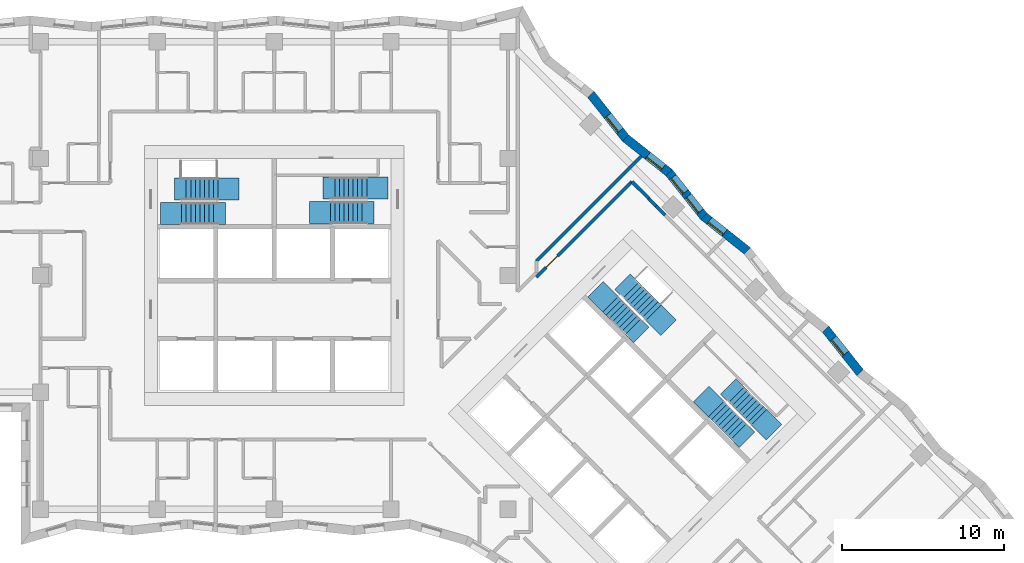
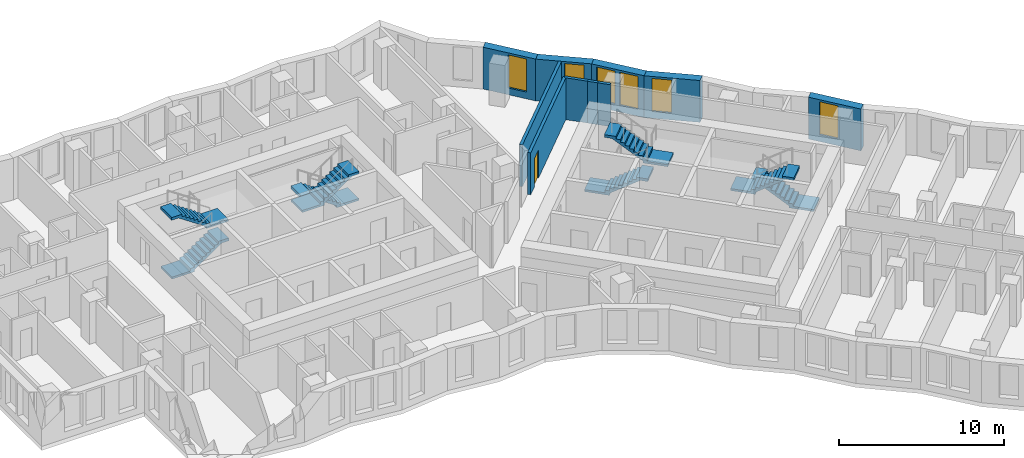
# One storey, part 11 of 13: 10 walls, 8 stair flights, 6 windows, 1 door, 7 openings, 4 elements without a shape of their own.
"""IFC4 building model written with IfcOpenShell, lengths in metres."""

from ifc_helpers import new_model, si_unit, direction, frame, frame_2d, origin, place, context, subcontext, project, spatial, polyline, rectangle, outline, extrude, material, layer, layer_set, type_object, element, fill, aggregate, save


model = new_model("IFC4")

# Units and contexts
model_context = context("Model", 3, precision=1e-05, world=origin(), true_north=direction((0.0, 1.0)))
body_context = subcontext(model_context, "Body", "Model", "MODEL_VIEW")
ifc_project = project(units=[si_unit("LENGTHUNIT", "METRE"), si_unit("AREAUNIT", "SQUARE_METRE"), si_unit("VOLUMEUNIT", "CUBIC_METRE"), si_unit("PLANEANGLEUNIT", "RADIAN"), si_unit("MASSUNIT", "GRAM", prefix="KILO")], contexts=[model_context])

# Site, building, storey
site_placement = place(None, origin())
site = spatial("IfcSite", under=ifc_project, at=site_placement, CompositionType="ELEMENT")
building_placement = place(site_placement, origin())
building = spatial("IfcBuilding", under=site, at=building_placement, Name="Windrow Commons", CompositionType="ELEMENT")
storey_placement = place(building_placement, frame((0.0, 0.0, 91.4)))
storey = spatial("IfcBuildingStorey", under=building, at=storey_placement, Name="L24", CompositionType="ELEMENT", Elevation=91.4)

# Wall, opening, window
ifc_material_1 = material(Name="Brick masonry, red clay brick", Category="masonry")
ifc_layer_1 = layer(ifc_material_1, 0.55)
ifc_layer_set_1 = layer_set([ifc_layer_1], Name="Brick facade wall 550")
wall_type_1 = type_object("IfcWallType", Name="Brick facade wall 550", PredefinedType="SOLIDWALL", material=ifc_layer_set_1)
wall_1_placement = place(storey_placement, frame((100.8974, 51.6082, 0.0), z_axis=(0.0, 0.0, 1.0), x_axis=(-0.621900023, 0.7830966489, 0.0)))
wall_1 = element("IfcWall", 1, at=wall_1_placement, inside=storey, type_object=wall_type_1, Name="Brick facade wall L24 12", PredefinedType="SOLIDWALL", context=body_context, shape_type="SweptSolid", body=[
    extrude(outline(polyline([(0.0316, -0.275), (3.4616, -0.275), (3.3985, 0.275), (-0.0316, 0.275), (0.0316, -0.275)])), origin(), (0.0, 0.0, 1.0), 3.1),
])
opening_1_placement = place(wall_1_placement, frame((1.4832, 0.0, 0.5)))
opening_1 = element("IfcOpeningElement", 2, at=opening_1_placement, cuts=wall_1, Name="Opening W7D", PredefinedType="OPENING", context=body_context, shape_type="SweptSolid", body=[
    extrude(rectangle(XDim=1.2, YDim=2.45, at=frame_2d((0.6, 1.225))), frame((0.0, 0.285, 0.0), z_axis=(0.0, -1.0, 0.0), x_axis=(1.0, 0.0, 0.0)), (0.0, 0.0, 1.0), 0.57),
])
ifc_material_2 = material(Name="Clear float glass in anodised aluminium frame", Category="aluminium")
window_type = type_object("IfcWindowType", Name="Window W7 notch 1200x2450", PartitioningType="SINGLE_PANEL", PredefinedType="WINDOW", material=ifc_material_2)
window_1_placement = place(opening_1_placement, origin())
window_1 = element("IfcWindow", 3, at=window_1_placement, inside=storey, type_object=window_type, Name="Window L24 12.1", OverallHeight=2.45, OverallWidth=1.2, PartitioningType="SINGLE_PANEL", PredefinedType="WINDOW", context=body_context, shape_type="SweptSolid", body=[
    extrude(rectangle(XDim=1.2, YDim=2.45, at=frame_2d((0.6, 1.225))), frame((0.0, 0.155, 0.0), z_axis=(0.0, -1.0, 0.0), x_axis=(1.0, 0.0, 0.0)), (0.0, 0.0, 1.0), 0.06),
])
fill(opening_1, window_1)

wall_2_placement = place(storey_placement, frame((93.9451, 59.1134, 0.0), z_axis=(0.0, 0.0, 1.0), x_axis=(-0.7830966489, 0.621900023, 0.0)))
wall_2 = element("IfcWall", 4, at=wall_2_placement, inside=storey, type_object=wall_type_1, Name="Brick facade wall L24 15", PredefinedType="SOLIDWALL", context=body_context, shape_type="SweptSolid", body=[
    extrude(outline(polyline([(-0.0316, -0.275), (3.3985, -0.275), (3.4616, 0.275), (0.0316, 0.275), (-0.0316, -0.275)])), origin(), (0.0, 0.0, 1.0), 3.1),
])
opening_2_placement = place(wall_2_placement, frame((1.7893, 0.0, 0.5)))
opening_2 = element("IfcOpeningElement", 5, at=opening_2_placement, cuts=wall_2, Name="Opening W7D", PredefinedType="OPENING", context=body_context, shape_type="SweptSolid", body=[
    extrude(rectangle(XDim=1.2, YDim=2.45, at=frame_2d((0.6, 1.225))), frame((0.0, 0.285, 0.0), z_axis=(0.0, -1.0, 0.0), x_axis=(1.0, 0.0, 0.0)), (0.0, 0.0, 1.0), 0.57),
])
window_2_placement = place(opening_2_placement, origin())
window_2 = element("IfcWindow", 6, at=window_2_placement, inside=storey, type_object=window_type, Name="Window L24 15.1", OverallHeight=2.45, OverallWidth=1.2, PartitioningType="SINGLE_PANEL", PredefinedType="WINDOW", context=body_context, shape_type="SweptSolid", body=[
    extrude(rectangle(XDim=1.2, YDim=2.45, at=frame_2d((0.6, 1.225))), frame((0.0, 0.155, 0.0), z_axis=(0.0, -1.0, 0.0), x_axis=(1.0, 0.0, 0.0)), (0.0, 0.0, 1.0), 0.06),
])
fill(opening_2, window_2)

# Wall, openings, windows
wall_3_placement = place(storey_placement, frame((91.2591, 61.2465, 0.0), z_axis=(0.0, 0.0, 1.0), x_axis=(-0.6218858246, 0.7831079243, 0.0)))
wall_3 = element("IfcWall", 7, at=wall_3_placement, inside=storey, type_object=wall_type_1, Name="Brick facade wall L24 16", PredefinedType="SOLIDWALL", context=body_context, shape_type="SweptSolid", body=[
    extrude(outline(polyline([(0.0316, -0.275), (3.4616, -0.275), (3.3985, 0.275), (-0.0316, 0.275), (0.0316, -0.275)])), origin(), (0.0, 0.0, 1.0), 3.1),
])
opening_3_placement = place(wall_3_placement, frame((0.3711, 0.0, 0.5)))
opening_3 = element("IfcOpeningElement", 8, at=opening_3_placement, cuts=wall_3, Name="Opening W7D", PredefinedType="OPENING", context=body_context, shape_type="SweptSolid", body=[
    extrude(rectangle(XDim=1.2, YDim=2.45, at=frame_2d((0.6, 1.225))), frame((0.0, 0.285, 0.0), z_axis=(0.0, -1.0, 0.0), x_axis=(1.0, 0.0, 0.0)), (0.0, 0.0, 1.0), 0.57),
])
opening_4_placement = place(wall_3_placement, frame((1.8704, 0.0, 0.5)))
opening_4 = element("IfcOpeningElement", 9, at=opening_4_placement, cuts=wall_3, Name="Opening W7D", PredefinedType="OPENING", context=body_context, shape_type="SweptSolid", body=[
    extrude(rectangle(XDim=1.2, YDim=2.45, at=frame_2d((0.6, 1.225))), frame((0.0, 0.285, 0.0), z_axis=(0.0, -1.0, 0.0), x_axis=(1.0, 0.0, 0.0)), (0.0, 0.0, 1.0), 0.57),
])
window_3_placement = place(opening_3_placement, origin())
window_3 = element("IfcWindow", 10, at=window_3_placement, inside=storey, type_object=window_type, Name="Window L24 16.1", OverallHeight=2.45, OverallWidth=1.2, PartitioningType="SINGLE_PANEL", PredefinedType="WINDOW", context=body_context, shape_type="SweptSolid", body=[
    extrude(rectangle(XDim=1.2, YDim=2.45, at=frame_2d((0.6, 1.225))), frame((0.0, 0.155, 0.0), z_axis=(0.0, -1.0, 0.0), x_axis=(1.0, 0.0, 0.0)), (0.0, 0.0, 1.0), 0.06),
])
fill(opening_3, window_3)
window_4_placement = place(opening_4_placement, origin())
window_4 = element("IfcWindow", 11, at=window_4_placement, inside=storey, type_object=window_type, Name="Window L24 16.2", OverallHeight=2.45, OverallWidth=1.2, PartitioningType="SINGLE_PANEL", PredefinedType="WINDOW", context=body_context, shape_type="SweptSolid", body=[
    extrude(rectangle(XDim=1.2, YDim=2.45, at=frame_2d((0.6, 1.225))), frame((0.0, 0.155, 0.0), z_axis=(0.0, -1.0, 0.0), x_axis=(1.0, 0.0, 0.0)), (0.0, 0.0, 1.0), 0.06),
])
fill(opening_4, window_4)

# Wall, opening, window
wall_4_placement = place(storey_placement, frame((89.126, 63.9326, 0.0), z_axis=(0.0, 0.0, 1.0), x_axis=(-0.7831079243, 0.6218858246, 0.0)))
wall_4 = element("IfcWall", 12, at=wall_4_placement, inside=storey, type_object=wall_type_1, Name="Brick facade wall L24 17", PredefinedType="SOLIDWALL", context=body_context, shape_type="SweptSolid", body=[
    extrude(outline(polyline([(-0.0316, -0.275), (3.3985, -0.275), (3.4616, 0.275), (0.0316, 0.275), (-0.0316, -0.275)])), origin(), (0.0, 0.0, 1.0), 3.1),
])
opening_5_placement = place(wall_4_placement, frame((0.4837, 0.0, 0.5)))
opening_5 = element("IfcOpeningElement", 13, at=opening_5_placement, cuts=wall_4, Name="Opening W7D", PredefinedType="OPENING", context=body_context, shape_type="SweptSolid", body=[
    extrude(rectangle(XDim=1.2, YDim=2.45, at=frame_2d((0.6, 1.225))), frame((0.0, 0.285, 0.0), z_axis=(0.0, -1.0, 0.0), x_axis=(1.0, 0.0, 0.0)), (0.0, 0.0, 1.0), 0.57),
])
window_5_placement = place(opening_5_placement, origin())
window_5 = element("IfcWindow", 14, at=window_5_placement, inside=storey, type_object=window_type, Name="Window L24 17.1", OverallHeight=2.45, OverallWidth=1.2, PartitioningType="SINGLE_PANEL", PredefinedType="WINDOW", context=body_context, shape_type="SweptSolid", body=[
    extrude(rectangle(XDim=1.2, YDim=2.45, at=frame_2d((0.6, 1.225))), frame((0.0, 0.155, 0.0), z_axis=(0.0, -1.0, 0.0), x_axis=(1.0, 0.0, 0.0)), (0.0, 0.0, 1.0), 0.06),
])
fill(opening_5, window_5)

wall_5_placement = place(storey_placement, frame((86.4399, 66.0657, 0.0), z_axis=(0.0, 0.0, 1.0), x_axis=(-0.6218858246, 0.7831079243, 0.0)))
wall_5 = element("IfcWall", 15, at=wall_5_placement, inside=storey, type_object=wall_type_1, Name="Brick facade wall L24 18", PredefinedType="SOLIDWALL", context=body_context, shape_type="SweptSolid", body=[
    extrude(outline(polyline([(0.0316, -0.275), (3.4616, -0.275), (3.3985, 0.275), (-0.0316, 0.275), (0.0316, -0.275)])), origin(), (0.0, 0.0, 1.0), 3.1),
])
opening_6_placement = place(wall_5_placement, frame((0.5647, 0.0, 0.5)))
opening_6 = element("IfcOpeningElement", 16, at=opening_6_placement, cuts=wall_5, Name="Opening W7D", PredefinedType="OPENING", context=body_context, shape_type="SweptSolid", body=[
    extrude(rectangle(XDim=1.2, YDim=2.45, at=frame_2d((0.6, 1.225))), frame((0.0, 0.285, 0.0), z_axis=(0.0, -1.0, 0.0), x_axis=(1.0, 0.0, 0.0)), (0.0, 0.0, 1.0), 0.57),
])
window_6_placement = place(opening_6_placement, origin())
window_6 = element("IfcWindow", 17, at=window_6_placement, inside=storey, type_object=window_type, Name="Window L24 18.1", OverallHeight=2.45, OverallWidth=1.2, PartitioningType="SINGLE_PANEL", PredefinedType="WINDOW", context=body_context, shape_type="SweptSolid", body=[
    extrude(rectangle(XDim=1.2, YDim=2.45, at=frame_2d((0.6, 1.225))), frame((0.0, 0.155, 0.0), z_axis=(0.0, -1.0, 0.0), x_axis=(1.0, 0.0, 0.0)), (0.0, 0.0, 1.0), 0.06),
])
fill(opening_6, window_6)

# Wall, opening, door
ifc_material_3 = material(Name="Blockwork partition", Category="masonry")
ifc_layer_2 = layer(ifc_material_3, 0.2)
ifc_layer_set_2 = layer_set([ifc_layer_2], Name="IW-CORRIDOR-200")
wall_type_2 = type_object("IfcWallType", Name="IW-CORRIDOR-200", PredefinedType="PARTITIONING", material=ifc_layer_set_2)
wall_6_placement = place(storey_placement, frame((80.9509, 57.4891, 0.0), z_axis=(0.0, 0.0, 1.0), x_axis=(0.7071067812, 0.7071067812, 0.0)))
wall_6 = element("IfcWall", 18, at=wall_6_placement, inside=storey, type_object=wall_type_2, Name="W-L24-W012", PredefinedType="PARTITIONING", context=body_context, shape_type="SweptSolid", body=[
    extrude(rectangle(XDim=8.3212, YDim=0.2, at=frame_2d((4.1606, 0.0))), origin(), (0.0, 0.0, 1.0), 3.1),
])
opening_7_placement = place(wall_6_placement, frame((0.8507, 0.0, 0.0)))
opening_7 = element("IfcOpeningElement", 19, at=opening_7_placement, cuts=wall_6, Name="Opening D310F", PredefinedType="OPENING", context=body_context, shape_type="SweptSolid", body=[
    extrude(rectangle(XDim=1.0, YDim=2.1, at=frame_2d((0.5, 1.05))), frame((0.0, 0.11, 0.0), z_axis=(0.0, -1.0, 0.0), x_axis=(1.0, 0.0, 0.0)), (0.0, 0.0, 1.0), 0.22),
])
ifc_material_4 = material(Name="Timber door leaf", Category="wood")
door_type = type_object("IfcDoorType", Name="DT-AMENITY-1000", OperationType="SINGLE_SWING_LEFT", PredefinedType="DOOR", material=ifc_material_4)
door_placement = place(opening_7_placement, origin())
door = element("IfcDoor", 20, at=door_placement, inside=storey, type_object=door_type, Name="D-L24-D044", OperationType="SINGLE_SWING_RIGHT", OverallHeight=2.1, OverallWidth=1.0, PredefinedType="DOOR", context=body_context, shape_type="SweptSolid", body=[
    extrude(rectangle(XDim=1.0, YDim=2.1, at=frame_2d((0.5, 1.05))), frame((0.0, 0.025, 0.0), z_axis=(0.0, -1.0, 0.0), x_axis=(1.0, 0.0, 0.0)), (0.0, 0.0, 1.0), 0.05),
])
fill(opening_7, door)

# Walls
wall_7_placement = place(storey_placement, frame((86.8392, 63.3732, 0.0), z_axis=(0.0, 0.0, 1.0), x_axis=(0.7077963046, -0.7064165847, 0.0)))
element("IfcWall", 21, at=wall_7_placement, inside=storey, type_object=wall_type_2, Name="W-L24-W164", PredefinedType="PARTITIONING", context=body_context, shape_type="SweptSolid", body=[
    extrude(rectangle(XDim=1.4496, YDim=0.2, at=frame_2d((0.7248, 0.0))), origin(), (0.0, 0.0, 1.0), 3.1),
])
wall_8_placement = place(storey_placement, frame((88.3188, 61.8848, 0.0), z_axis=(0.0, 0.0, 1.0), x_axis=(0.7071067812, -0.7071067812, 0.0)))
element("IfcWall", 22, at=wall_8_placement, inside=storey, type_object=wall_type_2, Name="W-L24-W186", PredefinedType="PARTITIONING", context=body_context, shape_type="SweptSolid", body=[
    extrude(rectangle(XDim=0.792, YDim=0.2, at=frame_2d((0.396, 0.0))), origin(), (0.0, 0.0, 1.0), 3.1),
])
wall_9_placement = place(storey_placement, frame((87.8605, 62.3445, 0.0), z_axis=(0.0, 0.0, 1.0), x_axis=(0.7055645691, -0.708645637, 0.0)))
element("IfcWall", 23, at=wall_9_placement, inside=storey, type_object=wall_type_2, Name="W-L24-W191", PredefinedType="PARTITIONING", context=body_context, shape_type="SweptSolid", body=[
    extrude(rectangle(XDim=0.6491, YDim=0.2, at=frame_2d((0.3246, 0.0))), origin(), (0.0, 0.0, 1.0), 3.1),
])
ifc_material_5 = material(Name="Blockwork partition", Category="masonry")
ifc_layer_3 = layer(ifc_material_5, 0.2)
ifc_layer_set_3 = layer_set([ifc_layer_3], Name="IW-PARTY-200")
wall_type_3 = type_object("IfcWallType", Name="IW-PARTY-200", PredefinedType="PARTITIONING", material=ifc_layer_set_3)
wall_10_placement = place(storey_placement, frame((80.9489, 58.4771, 0.0), z_axis=(0.0, 0.0, 1.0), x_axis=(0.7071122504, 0.707101312, 0.0)))
element("IfcWall", 24, at=wall_10_placement, inside=storey, type_object=wall_type_3, Name="W-L24-W009", PredefinedType="PARTITIONING", context=body_context, shape_type="SweptSolid", body=[
    extrude(rectangle(XDim=9.1421, YDim=0.2, at=frame_2d((4.571, 0.0))), origin(), (0.0, 0.0, 1.0), 3.1),
])

# Stair, stair flights
ifc_material_6 = material(Name="Concrete C40/50", Category="concrete")
stair_type = type_object("IfcStairType", Name="Core stair", PredefinedType="HALF_TURN_STAIR", material=ifc_material_6)
placement = place(storey_placement, origin())
stair_1 = element("IfcStair", 25, at=placement, inside=storey, type_object=stair_type, Name="L24 Exit stair A1 core A", PredefinedType="HALF_TURN_STAIR")
ifc_material_7 = material(Name="Concrete C40/50", Category="concrete")
stair_flight_type = type_object("IfcStairFlightType", Name="Core stair flight", PredefinedType="STRAIGHT", material=ifc_material_7)
stair_flight_1_placement = place(storey_placement, frame((59.1, 61.425, 0.0), z_axis=(0.0, 0.0, 1.0), x_axis=(1.0, 0.0, 0.0)))
stair_flight_1 = element("IfcStairFlight", 26, at=stair_flight_1_placement, type_object=stair_flight_type, Name="ST-A1 flight 1", NumberOfRisers=9, NumberOfTreads=8, PredefinedType="STRAIGHT", RiserHeight=0.188888889, TreadLength=0.28, context=body_context, shape_type="SweptSolid", body=[
    extrude(outline(polyline([(-1.3, -0.15), (-1.3, 0.0), (0.0, 0.0), (0.0, 0.1889), (0.28, 0.1889), (0.28, 0.3778), (0.56, 0.3778), (0.56, 0.5667), (0.84, 0.5667), (0.84, 0.7556), (1.12, 0.7556), (1.12, 0.9444), (1.4, 0.9444), (1.4, 1.1333), (1.68, 1.1333), (1.68, 1.3222), (1.96, 1.3222), (1.96, 1.5111), (2.24, 1.5111), (2.69, 1.5111), (2.69, 1.3111), (2.24, 1.3111), (2.24, 1.3302), (0.2682, 0.0), (0.2682, -0.15), (-1.3, -0.15)])), frame((0.0, 0.675, 0.0), z_axis=(0.0, -1.0, 0.0), x_axis=(1.0, 0.0, 0.0)), (0.0, 0.0, 1.0), 1.35),
])
stair_flight_2_placement = place(storey_placement, frame((61.34, 62.925, 1.7), z_axis=(0.0, 0.0, 1.0), x_axis=(-1.0, 0.0, 0.0)))
stair_flight_2 = element("IfcStairFlight", 27, at=stair_flight_2_placement, type_object=stair_flight_type, Name="ST-A1 flight 2", NumberOfRisers=9, NumberOfTreads=8, PredefinedType="STRAIGHT", RiserHeight=0.188888889, TreadLength=0.28, context=body_context, shape_type="SweptSolid", body=[
    extrude(outline(polyline([(-1.3, -0.15), (-1.3, 0.0), (0.0, 0.0), (0.0, 0.1889), (0.28, 0.1889), (0.28, 0.3778), (0.56, 0.3778), (0.56, 0.5667), (0.84, 0.5667), (0.84, 0.7556), (1.12, 0.7556), (1.12, 0.9444), (1.4, 0.9444), (1.4, 1.1333), (1.68, 1.1333), (1.68, 1.3222), (1.96, 1.3222), (1.96, 1.5111), (2.24, 1.5111), (2.69, 1.5111), (2.69, 1.3111), (2.24, 1.3111), (2.24, 1.3302), (0.2682, 0.0), (0.2682, -0.15), (-1.3, -0.15)])), frame((0.0, 0.675, 0.0), z_axis=(0.0, -1.0, 0.0), x_axis=(1.0, 0.0, 0.0)), (0.0, 0.0, 1.0), 1.35),
])
aggregate(stair_1, [stair_flight_1, stair_flight_2])

stair_2 = element("IfcStair", 28, at=placement, inside=storey, type_object=stair_type, Name="L24 Exit stair A2 core A", PredefinedType="HALF_TURN_STAIR")
stair_flight_3_placement = place(storey_placement, frame((70.5, 62.98, 0.0), z_axis=(0.0, 0.0, 1.0), x_axis=(-1.0, 0.0, 0.0)))
stair_flight_3 = element("IfcStairFlight", 29, at=stair_flight_3_placement, type_object=stair_flight_type, Name="ST-A2 flight 1", NumberOfRisers=9, NumberOfTreads=8, PredefinedType="STRAIGHT", RiserHeight=0.188888889, TreadLength=0.28, context=body_context, shape_type="SweptSolid", body=[
    extrude(outline(polyline([(-1.3, -0.15), (-1.3, 0.0), (0.0, 0.0), (0.0, 0.1889), (0.28, 0.1889), (0.28, 0.3778), (0.56, 0.3778), (0.56, 0.5667), (0.84, 0.5667), (0.84, 0.7556), (1.12, 0.7556), (1.12, 0.9444), (1.4, 0.9444), (1.4, 1.1333), (1.68, 1.1333), (1.68, 1.3222), (1.96, 1.3222), (1.96, 1.5111), (2.24, 1.5111), (2.69, 1.5111), (2.69, 1.3111), (2.24, 1.3111), (2.24, 1.3302), (0.2682, 0.0), (0.2682, -0.15), (-1.3, -0.15)])), frame((0.0, 0.675, 0.0), z_axis=(0.0, -1.0, 0.0), x_axis=(1.0, 0.0, 0.0)), (0.0, 0.0, 1.0), 1.35),
])
stair_flight_4_placement = place(storey_placement, frame((68.26, 61.48, 1.7), z_axis=(0.0, 0.0, 1.0), x_axis=(1.0, 0.0, 0.0)))
stair_flight_4 = element("IfcStairFlight", 30, at=stair_flight_4_placement, type_object=stair_flight_type, Name="ST-A2 flight 2", NumberOfRisers=9, NumberOfTreads=8, PredefinedType="STRAIGHT", RiserHeight=0.188888889, TreadLength=0.28, context=body_context, shape_type="SweptSolid", body=[
    extrude(outline(polyline([(-1.3, -0.15), (-1.3, 0.0), (0.0, 0.0), (0.0, 0.1889), (0.28, 0.1889), (0.28, 0.3778), (0.56, 0.3778), (0.56, 0.5667), (0.84, 0.5667), (0.84, 0.7556), (1.12, 0.7556), (1.12, 0.9444), (1.4, 0.9444), (1.4, 1.1333), (1.68, 1.1333), (1.68, 1.3222), (1.96, 1.3222), (1.96, 1.5111), (2.24, 1.5111), (2.69, 1.5111), (2.69, 1.3111), (2.24, 1.3111), (2.24, 1.3302), (0.2682, 0.0), (0.2682, -0.15), (-1.3, -0.15)])), frame((0.0, 0.675, 0.0), z_axis=(0.0, -1.0, 0.0), x_axis=(1.0, 0.0, 0.0)), (0.0, 0.0, 1.0), 1.35),
])
aggregate(stair_2, [stair_flight_3, stair_flight_4])

stair_3 = element("IfcStair", 31, at=placement, inside=storey, type_object=stair_type, Name="L24 Exit stair B1 core B", PredefinedType="HALF_TURN_STAIR")
stair_flight_5_placement = place(storey_placement, frame((85.5109, 55.8249, 0.0), z_axis=(0.0, 0.0, 1.0), x_axis=(0.7071067812, -0.7071067812, 0.0)))
stair_flight_5 = element("IfcStairFlight", 32, at=stair_flight_5_placement, type_object=stair_flight_type, Name="ST-B1 flight 1", NumberOfRisers=9, NumberOfTreads=8, PredefinedType="STRAIGHT", RiserHeight=0.188888889, TreadLength=0.28, context=body_context, shape_type="SweptSolid", body=[
    extrude(outline(polyline([(-1.3, -0.15), (-1.3, 0.0), (0.0, 0.0), (0.0, 0.1889), (0.28, 0.1889), (0.28, 0.3778), (0.56, 0.3778), (0.56, 0.5667), (0.84, 0.5667), (0.84, 0.7556), (1.12, 0.7556), (1.12, 0.9444), (1.4, 0.9444), (1.4, 1.1333), (1.68, 1.1333), (1.68, 1.3222), (1.96, 1.3222), (1.96, 1.5111), (2.24, 1.5111), (2.69, 1.5111), (2.69, 1.3111), (2.24, 1.3111), (2.24, 1.3302), (0.2682, 0.0), (0.2682, -0.15), (-1.3, -0.15)])), frame((0.0, 0.675, 0.0), z_axis=(0.0, -1.0, 0.0), x_axis=(1.0, 0.0, 0.0)), (0.0, 0.0, 1.0), 1.35),
])
stair_flight_6_placement = place(storey_placement, frame((88.1555, 55.3017, 1.7), z_axis=(0.0, 0.0, 1.0), x_axis=(-0.7071067812, 0.7071067812, 0.0)))
stair_flight_6 = element("IfcStairFlight", 33, at=stair_flight_6_placement, type_object=stair_flight_type, Name="ST-B1 flight 2", NumberOfRisers=9, NumberOfTreads=8, PredefinedType="STRAIGHT", RiserHeight=0.188888889, TreadLength=0.28, context=body_context, shape_type="SweptSolid", body=[
    extrude(outline(polyline([(-1.3, -0.15), (-1.3, 0.0), (0.0, 0.0), (0.0, 0.1889), (0.28, 0.1889), (0.28, 0.3778), (0.56, 0.3778), (0.56, 0.5667), (0.84, 0.5667), (0.84, 0.7556), (1.12, 0.7556), (1.12, 0.9444), (1.4, 0.9444), (1.4, 1.1333), (1.68, 1.1333), (1.68, 1.3222), (1.96, 1.3222), (1.96, 1.5111), (2.24, 1.5111), (2.69, 1.5111), (2.69, 1.3111), (2.24, 1.3111), (2.24, 1.3302), (0.2682, 0.0), (0.2682, -0.15), (-1.3, -0.15)])), frame((0.0, 0.675, 0.0), z_axis=(0.0, -1.0, 0.0), x_axis=(1.0, 0.0, 0.0)), (0.0, 0.0, 1.0), 1.35),
])
aggregate(stair_3, [stair_flight_5, stair_flight_6])

stair_4 = element("IfcStair", 34, at=placement, inside=storey, type_object=stair_type, Name="L24 Exit stair B2 core B", PredefinedType="HALF_TURN_STAIR")
stair_flight_7_placement = place(storey_placement, frame((94.6715, 48.8635, 0.0), z_axis=(0.0, 0.0, 1.0), x_axis=(-0.7071067812, 0.7071067812, 0.0)))
stair_flight_7 = element("IfcStairFlight", 35, at=stair_flight_7_placement, type_object=stair_flight_type, Name="ST-B2 flight 1", NumberOfRisers=9, NumberOfTreads=8, PredefinedType="STRAIGHT", RiserHeight=0.188888889, TreadLength=0.28, context=body_context, shape_type="SweptSolid", body=[
    extrude(outline(polyline([(-1.3, -0.15), (-1.3, 0.0), (0.0, 0.0), (0.0, 0.1889), (0.28, 0.1889), (0.28, 0.3778), (0.56, 0.3778), (0.56, 0.5667), (0.84, 0.5667), (0.84, 0.7556), (1.12, 0.7556), (1.12, 0.9444), (1.4, 0.9444), (1.4, 1.1333), (1.68, 1.1333), (1.68, 1.3222), (1.96, 1.3222), (1.96, 1.5111), (2.24, 1.5111), (2.69, 1.5111), (2.69, 1.3111), (2.24, 1.3111), (2.24, 1.3302), (0.2682, 0.0), (0.2682, -0.15), (-1.3, -0.15)])), frame((0.0, 0.675, 0.0), z_axis=(0.0, -1.0, 0.0), x_axis=(1.0, 0.0, 0.0)), (0.0, 0.0, 1.0), 1.35),
])
stair_flight_8_placement = place(storey_placement, frame((92.0269, 49.3867, 1.7), z_axis=(0.0, 0.0, 1.0), x_axis=(0.7071067812, -0.7071067812, 0.0)))
stair_flight_8 = element("IfcStairFlight", 36, at=stair_flight_8_placement, type_object=stair_flight_type, Name="ST-B2 flight 2", NumberOfRisers=9, NumberOfTreads=8, PredefinedType="STRAIGHT", RiserHeight=0.188888889, TreadLength=0.28, context=body_context, shape_type="SweptSolid", body=[
    extrude(outline(polyline([(-1.3, -0.15), (-1.3, 0.0), (0.0, 0.0), (0.0, 0.1889), (0.28, 0.1889), (0.28, 0.3778), (0.56, 0.3778), (0.56, 0.5667), (0.84, 0.5667), (0.84, 0.7556), (1.12, 0.7556), (1.12, 0.9444), (1.4, 0.9444), (1.4, 1.1333), (1.68, 1.1333), (1.68, 1.3222), (1.96, 1.3222), (1.96, 1.5111), (2.24, 1.5111), (2.69, 1.5111), (2.69, 1.3111), (2.24, 1.3111), (2.24, 1.3302), (0.2682, 0.0), (0.2682, -0.15), (-1.3, -0.15)])), frame((0.0, 0.675, 0.0), z_axis=(0.0, -1.0, 0.0), x_axis=(1.0, 0.0, 0.0)), (0.0, 0.0, 1.0), 1.35),
])
aggregate(stair_4, [stair_flight_7, stair_flight_8])

save(model, "model.ifc")
